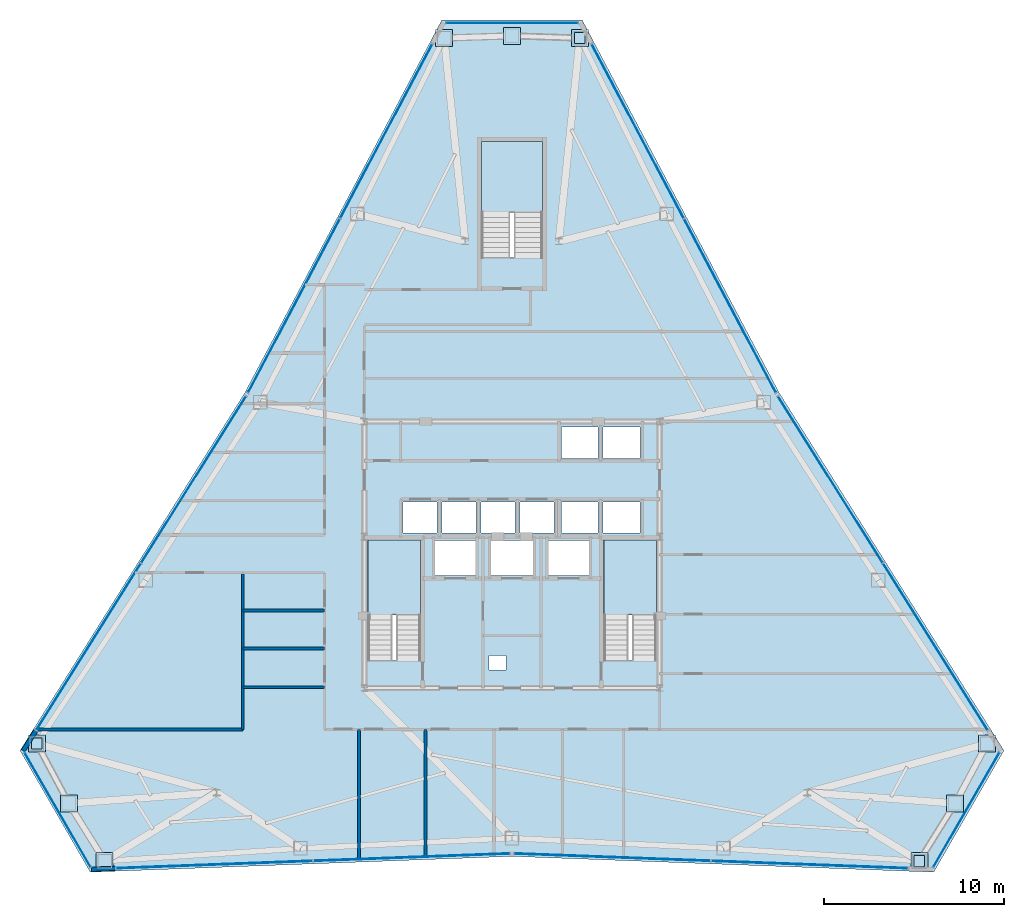
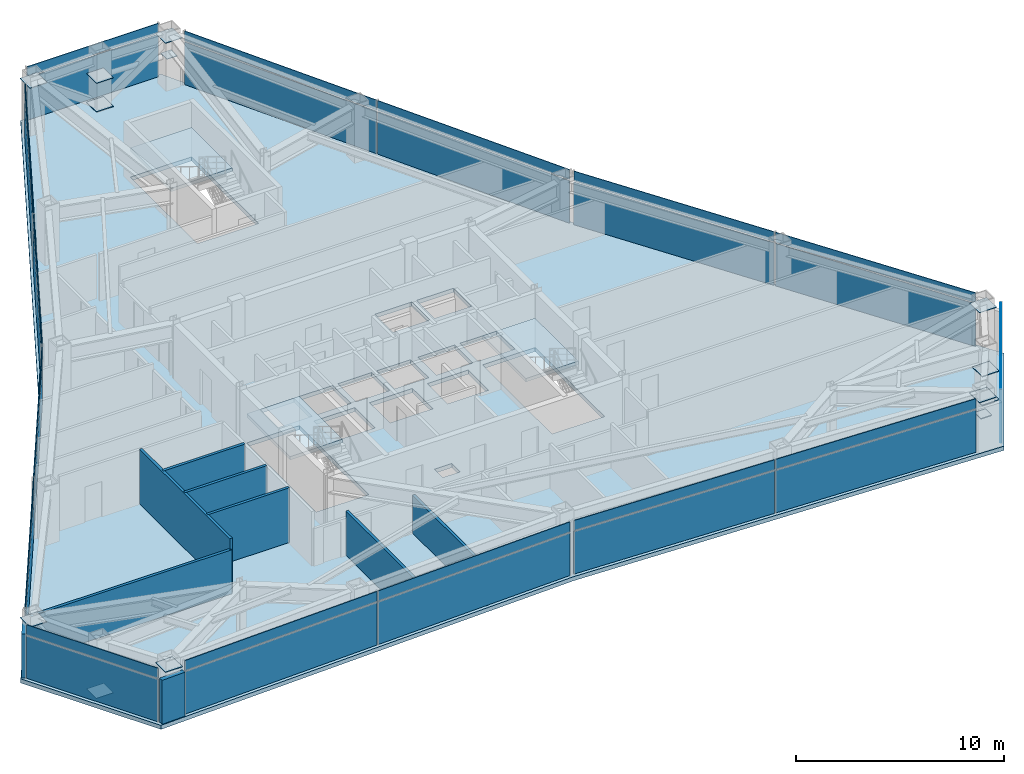
# One storey, part 9 of 13: 45 plates, 9 walls, 4 slabs, 12 elements without a shape of their own.
"""IFC4 building model written with IfcOpenShell, lengths in metres."""

from ifc_helpers import new_model, si_unit, direction, frame, frame_2d, origin, origin_2d, place, context, subcontext, project, spatial, polyline, rectangle, outline, extrude, source, transform, mapped, material, layer, layer_set, type_object, type_shapes, element, aggregate, save


model = new_model("IFC4")

# Units and contexts
model_context = context("Model", 3, precision=1e-05, world=origin(), true_north=direction((0.0, 1.0)))
body_context = subcontext(model_context, "Body", "Model", "MODEL_VIEW")
ifc_project = project(units=[si_unit("LENGTHUNIT", "METRE"), si_unit("AREAUNIT", "SQUARE_METRE"), si_unit("VOLUMEUNIT", "CUBIC_METRE"), si_unit("PLANEANGLEUNIT", "RADIAN"), si_unit("MASSUNIT", "GRAM", prefix="KILO")], contexts=[model_context])

# Site, building, storey
site_placement = place(None, origin())
site = spatial("IfcSite", under=ifc_project, at=site_placement, CompositionType="ELEMENT")
building_placement = place(site_placement, origin())
building = spatial("IfcBuilding", under=site, at=building_placement, Name="Varakhsha Concourse Tower", CompositionType="ELEMENT")
storey_placement = place(building_placement, frame((0.0, 0.0, 179.25)))
storey = spatial("IfcBuildingStorey", under=building, at=storey_placement, Name="L51", CompositionType="ELEMENT", Elevation=179.25)

# Slab
ifc_material_1 = material(Name="Concrete fc 45 MPa", Category="concrete")
ifc_layer_1 = layer(ifc_material_1, 0.239990234375, Name="SL-FLR-240")
ifc_layer_set_1 = layer_set([ifc_layer_1], Name="Concrete fc 45 MPa")
slab_type_1 = type_object("IfcSlabType", Name="SL-FLR-240", PredefinedType="FLOOR", material=ifc_layer_set_1)
slab_1_placement = place(storey_placement, frame((0.0, 0.0, -0.239990234375)))
element("IfcSlab", 1, at=slab_1_placement, inside=storey, type_object=slab_type_1, Name="L51 Composite Structural Slab", PredefinedType="FLOOR", context=body_context, shape_type="SweptSolid", body=[
    extrude(outline(polyline([(43.89990234375, 53.498291015625), (36.10009765625, 53.498291015625), (25.147216796875, 32.775390625), (12.677001953125, 12.92822265625), (16.576904296875, 6.17333984375), (40.0, 7.04931640625), (63.423095703125, 6.17333984375), (67.322998046875, 12.92822265625), (54.852783203125, 32.775390625), (43.89990234375, 53.498291015625)]), holes=[polyline([(34.919921875, 17.93994140625), (34.919921875, 24.6298828125), (32.0, 24.6298828125), (32.0, 17.93994140625), (34.919921875, 17.93994140625)]), polyline([(48.02001953125, 17.93994140625), (48.02001953125, 24.6298828125), (45.10009765625, 24.6298828125), (45.10009765625, 17.93994140625), (48.02001953125, 17.93994140625)]), polyline([(41.699951171875, 40.300048828125), (41.699951171875, 46.75), (38.300048828125, 46.75), (38.300048828125, 40.300048828125), (41.699951171875, 40.300048828125)]), polyline([(33.9599609375, 25.0), (35.840087890625, 25.0), (35.840087890625, 26.739990234375), (33.9599609375, 26.739990234375), (33.9599609375, 25.0)]), polyline([(36.1201171875, 25.0), (38.0, 25.0), (38.0, 26.739990234375), (36.1201171875, 26.739990234375), (36.1201171875, 25.0)]), polyline([(38.280029296875, 25.0), (40.159912109375, 25.0), (40.159912109375, 26.739990234375), (38.280029296875, 26.739990234375), (38.280029296875, 25.0)]), polyline([(40.43994140625, 25.0), (42.320068359375, 25.0), (42.320068359375, 26.739990234375), (40.43994140625, 26.739990234375), (40.43994140625, 25.0)]), polyline([(42.739990234375, 29.159912109375), (44.780029296875, 29.159912109375), (44.780029296875, 30.89990234375), (42.739990234375, 30.89990234375), (42.739990234375, 29.159912109375)]), polyline([(45.06005859375, 29.159912109375), (47.10009765625, 29.159912109375), (47.10009765625, 30.89990234375), (45.06005859375, 30.89990234375), (45.06005859375, 29.159912109375)]), polyline([(42.739990234375, 25.0), (44.780029296875, 25.0), (44.780029296875, 26.739990234375), (42.739990234375, 26.739990234375), (42.739990234375, 25.0)]), polyline([(45.06005859375, 25.0), (47.10009765625, 25.0), (47.10009765625, 26.739990234375), (45.06005859375, 26.739990234375), (45.06005859375, 25.0)]), polyline([(35.7099609375, 22.639892578125), (37.989990234375, 22.639892578125), (37.989990234375, 24.60009765625), (35.7099609375, 24.60009765625), (35.7099609375, 22.639892578125)]), polyline([(42.010009765625, 22.639892578125), (44.2900390625, 22.639892578125), (44.2900390625, 24.60009765625), (42.010009765625, 24.60009765625), (42.010009765625, 22.639892578125)]), polyline([(38.81005859375, 22.639892578125), (41.18994140625, 22.639892578125), (41.18994140625, 24.60009765625), (38.81005859375, 24.60009765625), (38.81005859375, 22.639892578125)]), polyline([(38.719970703125, 17.39990234375), (39.679931640625, 17.39990234375), (39.679931640625, 18.199951171875), (38.719970703125, 18.199951171875), (38.719970703125, 17.39990234375)])]), origin(), (0.0, 0.0, 1.0), 0.239990234375),
])

# Stair, slab
stair_type_1 = type_object("IfcStairType", Name="ST-DOGLEG-1360", PredefinedType="HALF_TURN_STAIR", material=ifc_material_1)
stair_1_placement = place(storey_placement, origin())
stair_1 = element("IfcStair", 2, at=stair_1_placement, inside=storey, type_object=stair_type_1, Name="L51 Protected Exit Stair ST1", PredefinedType="HALF_TURN_STAIR")
ifc_layer_2 = layer(ifc_material_1, 0.199951171875, Name="SL-LAND-200")
ifc_layer_set_2 = layer_set([ifc_layer_2], Name="Concrete fc 45 MPa")
slab_type_2 = type_object("IfcSlabType", Name="SL-LAND-200", PredefinedType="LANDING", material=ifc_layer_set_2)
slab_2_placement = place(storey_placement, frame((0.0, 0.0, 1.52490234375)))
slab_2 = element("IfcSlab", 3, at=slab_2_placement, type_object=slab_type_2, Name="ST1 landing 1", PredefinedType="LANDING", context=body_context, shape_type="SweptSolid", body=[
    extrude(outline(polyline([(34.919921875, 20.4599609375), (34.919921875, 24.6298828125), (32.0, 24.6298828125), (32.0, 20.4599609375), (34.919921875, 20.4599609375)])), origin(), (0.0, 0.0, 1.0), 0.2001953125),
])
aggregate(stair_1, [slab_2])

stair_2_placement = place(storey_placement, origin())
stair_2 = element("IfcStair", 4, at=stair_2_placement, inside=storey, type_object=stair_type_1, Name="L51 Protected Exit Stair ST2", PredefinedType="HALF_TURN_STAIR")
slab_3_placement = place(storey_placement, frame((0.0, 0.0, 1.52490234375)))
slab_3 = element("IfcSlab", 5, at=slab_3_placement, type_object=slab_type_2, Name="ST2 landing 1", PredefinedType="LANDING", context=body_context, shape_type="SweptSolid", body=[
    extrude(outline(polyline([(48.02001953125, 20.4599609375), (48.02001953125, 24.6298828125), (45.10009765625, 24.6298828125), (45.10009765625, 20.4599609375), (48.02001953125, 20.4599609375)])), origin(), (0.0, 0.0, 1.0), 0.2001953125),
])
aggregate(stair_2, [slab_3])

stair_type_2 = type_object("IfcStairType", Name="ST-DOGLEG-1600", PredefinedType="HALF_TURN_STAIR", material=ifc_material_1)
stair_3_placement = place(storey_placement, origin())
stair_3 = element("IfcStair", 6, at=stair_3_placement, inside=storey, type_object=stair_type_2, Name="L51 Protected Exit Stair ST5", PredefinedType="HALF_TURN_STAIR")
slab_4_placement = place(storey_placement, frame((0.0, 0.0, 1.52490234375)))
slab_4 = element("IfcSlab", 7, at=slab_4_placement, type_object=slab_type_2, Name="ST5 landing 1", PredefinedType="LANDING", context=body_context, shape_type="SweptSolid", body=[
    extrude(outline(polyline([(41.699951171875, 42.820068359375), (41.699951171875, 46.75), (38.300048828125, 46.75), (38.300048828125, 42.820068359375), (41.699951171875, 42.820068359375)])), origin(), (0.0, 0.0, 1.0), 0.2001953125),
])
aggregate(stair_3, [slab_4])

# Plates
ifc_material_2 = material(Name="Structural Steel ASTM A572 Grade 50", Category="steel")
ifc_layer_3 = layer(ifc_material_2, 0.030029296875, Name="PL-ENDCAP-950")
ifc_layer_set_3 = layer_set([ifc_layer_3], Name="Structural Steel ASTM A572 Grade 50")
plate_type_1 = type_object("IfcPlateType", Name="PL-ENDCAP-950", PredefinedType="USERDEFINED", material=ifc_layer_set_3)
shared_shape_1 = source(origin(), body_context, "Body", "SweptSolid", [
    extrude(rectangle(XDim=0.949951171875, YDim=0.949951171875, at=origin_2d()), origin(), (0.0, 0.0, 1.0), 0.030029296875),
])
type_shapes(plate_type_1, [shared_shape_1])
for number, where, z_axis, x_axis, name in (
    (8, (40.0, 52.618408203125, 0.10498046875), (0.0, 0.0, 1.0), (1.0, 0.0, 0.0), "Hollow Section End Cap GP-NODE-L51-0523"),
    (9, (43.7666015625, 52.4951171875, 2.89501953125), (0.0, 0.0, 1.0), (1.0, 0.0, 0.0), "Hollow Section End Cap GP-NODE-L51-0524"),
    (10, (36.2333984375, 52.4951171875, 2.89501953125), (0.0, 0.0, 1.0), (1.0, 0.0, 0.0), "Hollow Section End Cap GP-NODE-L51-0525"),
    (11, (15.388916015625, 9.99072265625, 0.10498046875), (0.0, 0.0, 1.0), (1.0, 0.0, 0.0), "Hollow Section End Cap GP-NODE-L51-0526"),
    (12, (13.6123046875, 13.314208984375, 2.89501953125), (0.0, 0.0, 1.0), (1.0, 0.0, 0.0), "Hollow Section End Cap GP-NODE-L51-0527"),
    (13, (17.37890625, 6.79052734375, 2.89501953125), (0.0, 0.0, 1.0), (1.0, 0.0, 0.0), "Hollow Section End Cap GP-NODE-L51-0528"),
    (14, (64.611083984375, 9.99072265625, 0.10498046875), (0.0, 0.0, 1.0), (1.0, 0.0, 0.0), "Hollow Section End Cap GP-NODE-L51-0529"),
    (15, (62.62109375, 6.79052734375, 2.89501953125), (0.0, 0.0, 1.0), (1.0, 0.0, 0.0), "Hollow Section End Cap GP-NODE-L51-0530"),
    (16, (66.3876953125, 13.314208984375, 2.89501953125), (0.0, 0.0, 1.0), (1.0, 0.0, 0.0), "Hollow Section End Cap GP-NODE-L51-0531"),
    (17, (40.0, 52.618408203125, 1.78515625), (0.0, 0.0, 1.0), (1.0, 0.0, 0.0), "Hollow Section End Cap GP-NODE-L51-0532"),
    (18, (15.388916015625, 9.99072265625, 1.78515625), (0.0, 0.0, 1.0), (1.0, 0.0, 0.0), "Hollow Section End Cap GP-NODE-L51-0533"),
    (19, (64.611083984375, 9.99072265625, 1.78515625), (0.0, 0.0, 1.0), (1.0, 0.0, 0.0), "Hollow Section End Cap GP-NODE-L51-0534"),
):
    element("IfcPlate", number, at=place(storey_placement, frame(where, z_axis=z_axis, x_axis=x_axis)), inside=storey, type_object=plate_type_1, Name=name, ObjectType="END PLATE", PredefinedType="USERDEFINED", context=body_context, shape_type="MappedRepresentation", body=[
        mapped(shared_shape_1, transform((0.0, 0.0, 0.0), scale=1.0)),
    ])
ifc_layer_4 = layer(ifc_material_2, 0.030029296875, Name="PL-BASE-600")
ifc_layer_set_4 = layer_set([ifc_layer_4], Name="Structural Steel ASTM A572 Grade 50")
plate_type_2 = type_object("IfcPlateType", Name="PL-BASE-600", PredefinedType="SHEET", material=ifc_layer_set_4)
shared_shape_2 = source(origin(), body_context, "Body", "SweptSolid", [
    extrude(rectangle(XDim=0.60009765625, YDim=0.60009765625, at=origin_2d()), origin(), (0.0, 0.0, 1.0), 0.030029296875),
])
type_shapes(plate_type_2, [shared_shape_2])
for number, where, z_axis, x_axis, name in (
    (20, (43.7666015625, 52.4951171875, 1.78515625), (0.0, 0.0, 1.0), (1.0, 0.0, 0.0), "Hollow Section End Cap BP-WTIE-L51-1"),
    (21, (13.6123046875, 13.314208984375, 1.78515625), (0.0, 0.0, 1.0), (1.0, 0.0, 0.0), "Hollow Section End Cap BP-WTIE-L51-2"),
    (22, (62.62109375, 6.79052734375, 1.78515625), (0.0, 0.0, 1.0), (1.0, 0.0, 0.0), "Hollow Section End Cap BP-WTIE-L51-3"),
):
    element("IfcPlate", number, at=place(storey_placement, frame(where, z_axis=z_axis, x_axis=x_axis)), inside=storey, type_object=plate_type_2, Name=name, PredefinedType="SHEET", context=body_context, shape_type="MappedRepresentation", body=[
        mapped(shared_shape_2, transform((0.0, 0.0, 0.0), scale=1.0)),
    ])

# Curtain wall, plates
ifc_material_3 = material(Name="Anodised Bronze Architectural Aluminium AA 6063-T6", Category="aluminium")
ifc_layer_5 = layer(ifc_material_3, 0.2099609375, Name="CW-SYS-04")
ifc_layer_set_5 = layer_set([ifc_layer_5], Name="Anodised Bronze Architectural Aluminium AA 6063-T6")
curtain_wall_type = type_object("IfcCurtainWallType", Name="CW-SYS-04", PredefinedType="NOTDEFINED", material=ifc_layer_set_5)
curtain_wall_1_placement = place(storey_placement, origin())
curtain_wall_1 = element("IfcCurtainWall", 23, at=curtain_wall_1_placement, inside=storey, type_object=curtain_wall_type, Name="L51 Crystal Curtain Wall F2", PredefinedType="NOTDEFINED")
ifc_material_4 = material(Name="Low-E Triple Insulating Glass IGU 44 mm", Category="glass")
ifc_layer_6 = layer(ifc_material_4, 0.0439453125, Name="CWP-IGU-44")
ifc_layer_set_6 = layer_set([ifc_layer_6], Name="Low-E Triple Insulating Glass IGU 44 mm")
plate_type_3 = type_object("IfcPlateType", Name="CWP-IGU-44", PredefinedType="CURTAIN_PANEL", material=ifc_layer_set_6)
shared_shape_3 = source(origin(), body_context, "Body", "SweptSolid", [
    extrude(rectangle(XDim=10.900634765625, YDim=0.0439453125, at=origin_2d()), origin(), (0.0, 0.0, 1.0), 2.49609375),
])
plate_1_placement = place(storey_placement, frame((27.888916015625, 37.62060546875, 0.031982421875), z_axis=(0.0, 0.0, 1.0), x_axis=(0.46728648373, 0.884105956389, 0.0)))
plate_1 = element("IfcPlate", 24, at=plate_1_placement, type_object=plate_type_3, Name="CW-L51-F2 Panel 00-00", PredefinedType="CURTAIN_PANEL", context=body_context, shape_type="MappedRepresentation", body=[
    mapped(shared_shape_3, transform((0.0, 0.0, 0.0), scale=1.0)),
])
plate_2_placement = place(storey_placement, frame((33.014892578125, 47.31884765625, 0.031982421875), z_axis=(0.0, 0.0, 1.0), x_axis=(0.46728648373, 0.884105956389, 0.0)))
plate_2 = element("IfcPlate", 25, at=plate_2_placement, type_object=plate_type_3, Name="CW-L51-F2 Panel 01-00", PredefinedType="CURTAIN_PANEL", context=body_context, shape_type="MappedRepresentation", body=[
    mapped(shared_shape_3, transform((0.0, 0.0, 0.0), scale=1.0)),
])

# Curtain wall, plate
curtain_wall_2_placement = place(storey_placement, origin())
curtain_wall_2 = element("IfcCurtainWall", 26, at=curtain_wall_2_placement, inside=storey, type_object=curtain_wall_type, Name="L51 Crystal Curtain Wall F3", PredefinedType="NOTDEFINED")
plate_3_placement = place(storey_placement, frame((16.48583984375, 18.689697265625, 0.031982421875), z_axis=(0.0, 0.0, 1.0), x_axis=(0.532022365141, 0.846730301212, 0.0)))
plate_3 = element("IfcPlate", 27, at=plate_3_placement, type_object=plate_type_3, Name="CW-L51-F3 Panel 00-00", PredefinedType="CURTAIN_PANEL", context=body_context, shape_type="MappedRepresentation", body=[
    mapped(shared_shape_3, transform((0.0, 0.0, 0.0), scale=1.0)),
])

# Curtain wall, plates
curtain_wall_3_placement = place(storey_placement, origin())
curtain_wall_3 = element("IfcCurtainWall", 28, at=curtain_wall_3_placement, inside=storey, type_object=curtain_wall_type, Name="L51 Crystal Curtain Wall F5", PredefinedType="NOTDEFINED")
plate_4_placement = place(storey_placement, frame((34.43310546875, 7.001220703125, 0.031982421875), z_axis=(0.0, 0.0, 1.0), x_axis=(-0.999301264048, -0.037376244769, 0.0)))
plate_4 = element("IfcPlate", 29, at=plate_4_placement, type_object=plate_type_3, Name="CW-L51-F5 Panel 00-00", PredefinedType="CURTAIN_PANEL", context=body_context, shape_type="MappedRepresentation", body=[
    mapped(shared_shape_3, transform((0.0, 0.0, 0.0), scale=1.0)),
])
plate_5_placement = place(storey_placement, frame((23.470947265625, 6.59130859375, 0.031982421875), z_axis=(0.0, 0.0, 1.0), x_axis=(-0.999301264048, -0.037376244769, 0.0)))
plate_5 = element("IfcPlate", 30, at=plate_5_placement, type_object=plate_type_3, Name="CW-L51-F5 Panel 01-00", PredefinedType="CURTAIN_PANEL", context=body_context, shape_type="MappedRepresentation", body=[
    mapped(shared_shape_3, transform((0.0, 0.0, 0.0), scale=1.0)),
])

curtain_wall_4_placement = place(storey_placement, origin())
curtain_wall_4 = element("IfcCurtainWall", 31, at=curtain_wall_4_placement, inside=storey, type_object=curtain_wall_type, Name="L51 Crystal Curtain Wall F6", PredefinedType="NOTDEFINED")
plate_6_placement = place(storey_placement, frame((56.529052734375, 6.59130859375, 0.031982421875), z_axis=(0.0, 0.0, 1.0), x_axis=(-0.999301264048, 0.037376244769, 0.0)))
plate_6 = element("IfcPlate", 32, at=plate_6_placement, type_object=plate_type_3, Name="CW-L51-F6 Panel 00-00", PredefinedType="CURTAIN_PANEL", context=body_context, shape_type="MappedRepresentation", body=[
    mapped(shared_shape_3, transform((0.0, 0.0, 0.0), scale=1.0)),
])
plate_7_placement = place(storey_placement, frame((45.56689453125, 7.001220703125, 0.031982421875), z_axis=(0.0, 0.0, 1.0), x_axis=(-0.999301264048, 0.037376244769, 0.0)))
plate_7 = element("IfcPlate", 33, at=plate_7_placement, type_object=plate_type_3, Name="CW-L51-F6 Panel 01-00", PredefinedType="CURTAIN_PANEL", context=body_context, shape_type="MappedRepresentation", body=[
    mapped(shared_shape_3, transform((0.0, 0.0, 0.0), scale=1.0)),
])

# Curtain wall, plate
curtain_wall_5_placement = place(storey_placement, origin())
curtain_wall_5 = element("IfcCurtainWall", 34, at=curtain_wall_5_placement, inside=storey, type_object=curtain_wall_type, Name="L51 Crystal Curtain Wall F8", PredefinedType="NOTDEFINED")
plate_8_placement = place(storey_placement, frame((57.677978515625, 27.978271484375, 0.031982421875), z_axis=(0.0, 0.0, 1.0), x_axis=(0.532022365141, -0.846730301212, 0.0)))
plate_8 = element("IfcPlate", 35, at=plate_8_placement, type_object=plate_type_3, Name="CW-L51-F8 Panel 00-00", PredefinedType="CURTAIN_PANEL", context=body_context, shape_type="MappedRepresentation", body=[
    mapped(shared_shape_3, transform((0.0, 0.0, 0.0), scale=1.0)),
])

# Curtain wall, plates
curtain_wall_6_placement = place(storey_placement, origin())
curtain_wall_6 = element("IfcCurtainWall", 36, at=curtain_wall_6_placement, inside=storey, type_object=curtain_wall_type, Name="L51 Crystal Curtain Wall F9", PredefinedType="NOTDEFINED")
plate_9_placement = place(storey_placement, frame((46.985107421875, 47.31884765625, 0.031982421875), z_axis=(0.0, 0.0, 1.0), x_axis=(0.46728648373, -0.884105956389, 0.0)))
plate_9 = element("IfcPlate", 37, at=plate_9_placement, type_object=plate_type_3, Name="CW-L51-F9 Panel 00-00", PredefinedType="CURTAIN_PANEL", context=body_context, shape_type="MappedRepresentation", body=[
    mapped(shared_shape_3, transform((0.0, 0.0, 0.0), scale=1.0)),
])
plate_10_placement = place(storey_placement, frame((52.111083984375, 37.62060546875, 0.031982421875), z_axis=(0.0, 0.0, 1.0), x_axis=(0.46728648373, -0.884105956389, 0.0)))
plate_10 = element("IfcPlate", 38, at=plate_10_placement, type_object=plate_type_3, Name="CW-L51-F9 Panel 01-00", PredefinedType="CURTAIN_PANEL", context=body_context, shape_type="MappedRepresentation", body=[
    mapped(shared_shape_3, transform((0.0, 0.0, 0.0), scale=1.0)),
])

# Plate
ifc_material_5 = material(Name="Insulated Anodised Bronze Aluminium Spandrel 36 mm", Category="aluminium")
ifc_layer_7 = layer(ifc_material_5, 0.035888671875, Name="CWP-SPN-36")
ifc_layer_set_7 = layer_set([ifc_layer_7], Name="Insulated Anodised Bronze Aluminium Spandrel 36 mm")
plate_type_4 = type_object("IfcPlateType", Name="CWP-SPN-36", PredefinedType="USERDEFINED", material=ifc_layer_set_7)
shared_shape_4 = source(origin(), body_context, "Body", "SweptSolid", [
    extrude(rectangle(XDim=10.900634765625, YDim=0.035888671875, at=origin_2d()), origin(), (0.0, 0.0, 1.0), 0.5859375),
])
plate_11_placement = place(storey_placement, frame((27.888916015625, 37.62060546875, 2.592041015625), z_axis=(0.0, 0.0, 1.0), x_axis=(0.46728648373, 0.884105956389, 0.0)))
plate_11 = element("IfcPlate", 39, at=plate_11_placement, type_object=plate_type_4, Name="CW-L51-F2 Panel 00-01", ObjectType="SPANDREL", PredefinedType="USERDEFINED", context=body_context, shape_type="MappedRepresentation", body=[
    mapped(shared_shape_4, transform((0.0, 0.0, 0.0), scale=1.0)),
])

plate_12_placement = place(storey_placement, frame((33.014892578125, 47.31884765625, 2.592041015625), z_axis=(0.0, 0.0, 1.0), x_axis=(0.46728648373, 0.884105956389, 0.0)))
plate_12 = element("IfcPlate", 40, at=plate_12_placement, type_object=plate_type_4, Name="CW-L51-F2 Panel 01-01", ObjectType="SPANDREL", PredefinedType="USERDEFINED", context=body_context, shape_type="MappedRepresentation", body=[
    mapped(shared_shape_4, transform((0.0, 0.0, 0.0), scale=1.0)),
])

aggregate(curtain_wall_1, [plate_1, plate_11, plate_2, plate_12])

plate_13_placement = place(storey_placement, frame((16.48583984375, 18.689697265625, 2.592041015625), z_axis=(0.0, 0.0, 1.0), x_axis=(0.532022365141, 0.846730301212, 0.0)))
plate_13 = element("IfcPlate", 41, at=plate_13_placement, type_object=plate_type_4, Name="CW-L51-F3 Panel 00-01", ObjectType="SPANDREL", PredefinedType="USERDEFINED", context=body_context, shape_type="MappedRepresentation", body=[
    mapped(shared_shape_4, transform((0.0, 0.0, 0.0), scale=1.0)),
])

plate_14_placement = place(storey_placement, frame((34.43310546875, 7.001220703125, 2.592041015625), z_axis=(0.0, 0.0, 1.0), x_axis=(-0.999301264048, -0.037376244769, 0.0)))
plate_14 = element("IfcPlate", 42, at=plate_14_placement, type_object=plate_type_4, Name="CW-L51-F5 Panel 00-01", ObjectType="SPANDREL", PredefinedType="USERDEFINED", context=body_context, shape_type="MappedRepresentation", body=[
    mapped(shared_shape_4, transform((0.0, 0.0, 0.0), scale=1.0)),
])

plate_15_placement = place(storey_placement, frame((23.470947265625, 6.59130859375, 2.592041015625), z_axis=(0.0, 0.0, 1.0), x_axis=(-0.999301264048, -0.037376244769, 0.0)))
plate_15 = element("IfcPlate", 43, at=plate_15_placement, type_object=plate_type_4, Name="CW-L51-F5 Panel 01-01", ObjectType="SPANDREL", PredefinedType="USERDEFINED", context=body_context, shape_type="MappedRepresentation", body=[
    mapped(shared_shape_4, transform((0.0, 0.0, 0.0), scale=1.0)),
])

aggregate(curtain_wall_3, [plate_4, plate_14, plate_5, plate_15])

plate_16_placement = place(storey_placement, frame((56.529052734375, 6.59130859375, 2.592041015625), z_axis=(0.0, 0.0, 1.0), x_axis=(-0.999301264048, 0.037376244769, 0.0)))
plate_16 = element("IfcPlate", 44, at=plate_16_placement, type_object=plate_type_4, Name="CW-L51-F6 Panel 00-01", ObjectType="SPANDREL", PredefinedType="USERDEFINED", context=body_context, shape_type="MappedRepresentation", body=[
    mapped(shared_shape_4, transform((0.0, 0.0, 0.0), scale=1.0)),
])

plate_17_placement = place(storey_placement, frame((45.56689453125, 7.001220703125, 2.592041015625), z_axis=(0.0, 0.0, 1.0), x_axis=(-0.999301264048, 0.037376244769, 0.0)))
plate_17 = element("IfcPlate", 45, at=plate_17_placement, type_object=plate_type_4, Name="CW-L51-F6 Panel 01-01", ObjectType="SPANDREL", PredefinedType="USERDEFINED", context=body_context, shape_type="MappedRepresentation", body=[
    mapped(shared_shape_4, transform((0.0, 0.0, 0.0), scale=1.0)),
])

aggregate(curtain_wall_4, [plate_6, plate_16, plate_7, plate_17])

plate_18_placement = place(storey_placement, frame((57.677978515625, 27.978271484375, 2.592041015625), z_axis=(0.0, 0.0, 1.0), x_axis=(0.532022365141, -0.846730301212, 0.0)))
plate_18 = element("IfcPlate", 46, at=plate_18_placement, type_object=plate_type_4, Name="CW-L51-F8 Panel 00-01", ObjectType="SPANDREL", PredefinedType="USERDEFINED", context=body_context, shape_type="MappedRepresentation", body=[
    mapped(shared_shape_4, transform((0.0, 0.0, 0.0), scale=1.0)),
])

plate_19_placement = place(storey_placement, frame((46.985107421875, 47.31884765625, 2.592041015625), z_axis=(0.0, 0.0, 1.0), x_axis=(0.46728648373, -0.884105956389, 0.0)))
plate_19 = element("IfcPlate", 47, at=plate_19_placement, type_object=plate_type_4, Name="CW-L51-F9 Panel 00-01", ObjectType="SPANDREL", PredefinedType="USERDEFINED", context=body_context, shape_type="MappedRepresentation", body=[
    mapped(shared_shape_4, transform((0.0, 0.0, 0.0), scale=1.0)),
])

plate_20_placement = place(storey_placement, frame((52.111083984375, 37.62060546875, 2.592041015625), z_axis=(0.0, 0.0, 1.0), x_axis=(0.46728648373, -0.884105956389, 0.0)))
plate_20 = element("IfcPlate", 48, at=plate_20_placement, type_object=plate_type_4, Name="CW-L51-F9 Panel 01-01", ObjectType="SPANDREL", PredefinedType="USERDEFINED", context=body_context, shape_type="MappedRepresentation", body=[
    mapped(shared_shape_4, transform((0.0, 0.0, 0.0), scale=1.0)),
])

aggregate(curtain_wall_6, [plate_9, plate_19, plate_10, plate_20])

shared_shape_5 = source(origin(), body_context, "Body", "SweptSolid", [
    extrude(rectangle(XDim=10.90087890625, YDim=0.0439453125, at=origin_2d()), origin(), (0.0, 0.0, 1.0), 2.49609375),
])
type_shapes(plate_type_3, [shared_shape_3, shared_shape_5])
plate_21_placement = place(storey_placement, frame((22.322021484375, 27.978271484375, 0.031982421875), z_axis=(0.0, 0.0, 1.0), x_axis=(0.532022365141, 0.846730301212, 0.0)))
plate_21 = element("IfcPlate", 49, at=plate_21_placement, type_object=plate_type_3, Name="CW-L51-F3 Panel 01-00", PredefinedType="CURTAIN_PANEL", context=body_context, shape_type="MappedRepresentation", body=[
    mapped(shared_shape_5, transform((0.0, 0.0, 0.0), scale=1.0)),
])

plate_22_placement = place(storey_placement, frame((63.51416015625, 18.689697265625, 0.031982421875), z_axis=(0.0, 0.0, 1.0), x_axis=(0.532022365141, -0.846730301212, 0.0)))
plate_22 = element("IfcPlate", 50, at=plate_22_placement, type_object=plate_type_3, Name="CW-L51-F8 Panel 01-00", PredefinedType="CURTAIN_PANEL", context=body_context, shape_type="MappedRepresentation", body=[
    mapped(shared_shape_5, transform((0.0, 0.0, 0.0), scale=1.0)),
])

shared_shape_6 = source(origin(), body_context, "Body", "SweptSolid", [
    extrude(rectangle(XDim=10.90087890625, YDim=0.035888671875, at=origin_2d()), origin(), (0.0, 0.0, 1.0), 0.5859375),
])
plate_23_placement = place(storey_placement, frame((22.322021484375, 27.978271484375, 2.592041015625), z_axis=(0.0, 0.0, 1.0), x_axis=(0.532022365141, 0.846730301212, 0.0)))
plate_23 = element("IfcPlate", 51, at=plate_23_placement, type_object=plate_type_4, Name="CW-L51-F3 Panel 01-01", ObjectType="SPANDREL", PredefinedType="USERDEFINED", context=body_context, shape_type="MappedRepresentation", body=[
    mapped(shared_shape_6, transform((0.0, 0.0, 0.0), scale=1.0)),
])

aggregate(curtain_wall_2, [plate_3, plate_13, plate_21, plate_23])

plate_24_placement = place(storey_placement, frame((63.51416015625, 18.689697265625, 2.592041015625), z_axis=(0.0, 0.0, 1.0), x_axis=(0.532022365141, -0.846730301212, 0.0)))
plate_24 = element("IfcPlate", 52, at=plate_24_placement, type_object=plate_type_4, Name="CW-L51-F8 Panel 01-01", ObjectType="SPANDREL", PredefinedType="USERDEFINED", context=body_context, shape_type="MappedRepresentation", body=[
    mapped(shared_shape_6, transform((0.0, 0.0, 0.0), scale=1.0)),
])

aggregate(curtain_wall_5, [plate_8, plate_18, plate_22, plate_24])

# Curtain wall, plate
curtain_wall_7_placement = place(storey_placement, origin())
curtain_wall_7 = element("IfcCurtainWall", 53, at=curtain_wall_7_placement, inside=storey, type_object=curtain_wall_type, Name="L51 Chamfer Curtain Wall F1", PredefinedType="NOTDEFINED")
shared_shape_7 = source(origin(), body_context, "Body", "SweptSolid", [
    extrude(rectangle(XDim=7.291015625, YDim=0.035888671875, at=origin_2d()), origin(), (0.0, 0.0, 1.0), 2.49609375),
])
plate_25_placement = place(storey_placement, frame((40.0, 53.33837890625, 0.031982421875), z_axis=(0.0, 0.0, 1.0), x_axis=(1.0, 0.0, 0.0)))
plate_25 = element("IfcPlate", 54, at=plate_25_placement, type_object=plate_type_4, Name="CW-L51-F1 Panel 00-00", ObjectType="SPANDREL", PredefinedType="USERDEFINED", context=body_context, shape_type="MappedRepresentation", body=[
    mapped(shared_shape_7, transform((0.0, 0.0, 0.0), scale=1.0)),
])

curtain_wall_8_placement = place(storey_placement, origin())
curtain_wall_8 = element("IfcCurtainWall", 55, at=curtain_wall_8_placement, inside=storey, type_object=curtain_wall_type, Name="L51 Chamfer Curtain Wall F4", PredefinedType="NOTDEFINED")
plate_26_placement = place(storey_placement, frame((14.765380859375, 9.630859375, 0.031982421875), z_axis=(0.0, 0.0, 1.0), x_axis=(-0.499996976998, 0.866027149108, 0.0)))
plate_26 = element("IfcPlate", 56, at=plate_26_placement, type_object=plate_type_4, Name="CW-L51-F4 Panel 00-00", ObjectType="SPANDREL", PredefinedType="USERDEFINED", context=body_context, shape_type="MappedRepresentation", body=[
    mapped(shared_shape_7, transform((0.0, 0.0, 0.0), scale=1.0)),
])

curtain_wall_9_placement = place(storey_placement, origin())
curtain_wall_9 = element("IfcCurtainWall", 57, at=curtain_wall_9_placement, inside=storey, type_object=curtain_wall_type, Name="L51 Chamfer Curtain Wall F7", PredefinedType="NOTDEFINED")
plate_27_placement = place(storey_placement, frame((65.234619140625, 9.630859375, 0.031982421875), z_axis=(0.0, 0.0, 1.0), x_axis=(-0.499996976998, -0.866027149108, 0.0)))
plate_27 = element("IfcPlate", 58, at=plate_27_placement, type_object=plate_type_4, Name="CW-L51-F7 Panel 00-00", ObjectType="SPANDREL", PredefinedType="USERDEFINED", context=body_context, shape_type="MappedRepresentation", body=[
    mapped(shared_shape_7, transform((0.0, 0.0, 0.0), scale=1.0)),
])

# Plate
shared_shape_8 = source(origin(), body_context, "Body", "SweptSolid", [
    extrude(rectangle(XDim=7.291015625, YDim=0.035888671875, at=origin_2d()), origin(), (0.0, 0.0, 1.0), 0.5859375),
])
type_shapes(plate_type_4, [shared_shape_4, shared_shape_6, shared_shape_7, shared_shape_8])
plate_28_placement = place(storey_placement, frame((40.0, 53.33837890625, 2.592041015625), z_axis=(0.0, 0.0, 1.0), x_axis=(1.0, 0.0, 0.0)))
plate_28 = element("IfcPlate", 59, at=plate_28_placement, type_object=plate_type_4, Name="CW-L51-F1 Panel 00-01", ObjectType="SPANDREL", PredefinedType="USERDEFINED", context=body_context, shape_type="MappedRepresentation", body=[
    mapped(shared_shape_8, transform((0.0, 0.0, 0.0), scale=1.0)),
])

aggregate(curtain_wall_7, [plate_25, plate_28])

plate_29_placement = place(storey_placement, frame((14.765380859375, 9.630859375, 2.592041015625), z_axis=(0.0, 0.0, 1.0), x_axis=(-0.499996976998, 0.866027149108, 0.0)))
plate_29 = element("IfcPlate", 60, at=plate_29_placement, type_object=plate_type_4, Name="CW-L51-F4 Panel 00-01", ObjectType="SPANDREL", PredefinedType="USERDEFINED", context=body_context, shape_type="MappedRepresentation", body=[
    mapped(shared_shape_8, transform((0.0, 0.0, 0.0), scale=1.0)),
])

aggregate(curtain_wall_8, [plate_26, plate_29])

plate_30_placement = place(storey_placement, frame((65.234619140625, 9.630859375, 2.592041015625), z_axis=(0.0, 0.0, 1.0), x_axis=(-0.499996976998, -0.866027149108, 0.0)))
plate_30 = element("IfcPlate", 61, at=plate_30_placement, type_object=plate_type_4, Name="CW-L51-F7 Panel 00-01", ObjectType="SPANDREL", PredefinedType="USERDEFINED", context=body_context, shape_type="MappedRepresentation", body=[
    mapped(shared_shape_8, transform((0.0, 0.0, 0.0), scale=1.0)),
])

aggregate(curtain_wall_9, [plate_27, plate_30])

# Walls
ifc_layer_8 = layer(ifc_material_1, 0.239990234375, Name="WL-EXT-CRN-240")
ifc_layer_set_8 = layer_set([ifc_layer_8], Name="Concrete fc 45 MPa")
wall_type_1 = type_object("IfcWallType", Name="WL-EXT-CRN-240", PredefinedType="SHEAR", material=ifc_layer_set_8)
for number, where, z_axis, x_axis, name in (
    (62, (13.550537109375, 14.01806640625, 0.0), (0.0, 0.0, 1.0), (-0.531987132085, -0.846752438022, 0.0), "L51 Wind-Corner Shoulder Wall F3"),
    (63, (16.656982421875, 6.33642578125, 0.0), (0.0, 0.0, 1.0), (0.999302961929, 0.037330822118, 0.0), "L51 Wind-Corner Shoulder Wall F5"),
):
    element("IfcWall", number, at=place(storey_placement, frame(where, z_axis=z_axis, x_axis=x_axis)), inside=storey, type_object=wall_type_1, Name=name, PredefinedType="SHEAR", context=body_context, shape_type="SweptSolid", body=[
        extrude(rectangle(XDim=1.301513671875, YDim=0.239990234375, at=frame_2d((0.65087890625, 0.0))), origin(), (0.0, 0.0, 1.0), 2.5830078125),
    ])
ifc_material_6 = material(Name="Fire-Rated Type X Gypsum Partition Assembly", Category="gypsum")
ifc_layer_9 = layer(ifc_material_6, 0.14990234375, Name="WL-PART-150")
ifc_layer_set_9 = layer_set([ifc_layer_9], Name="Fire-Rated Type X Gypsum Partition Assembly")
wall_type_2 = type_object("IfcWallType", Name="WL-PART-150", PredefinedType="PARTITIONING", material=ifc_layer_set_9)
wall_1_placement = place(storey_placement, frame((25.050048828125, 14.10009765625, 0.0), z_axis=(0.0, 0.0, 1.0), x_axis=(0.0, 1.0, 0.0)))
element("IfcWall", 64, at=wall_1_placement, inside=storey, type_object=wall_type_2, Name="L51 Wall C2WC-W-L51", PredefinedType="PARTITIONING", context=body_context, shape_type="SweptSolid", body=[
    extrude(rectangle(XDim=8.699951171875, YDim=0.14990234375, at=frame_2d((4.35009765625, 0.0))), origin(), (0.0, 0.0, 1.0), 3.2099609375),
])
for number, where, z_axis, x_axis, name in (
    (65, (25.050048828125, 16.449951171875, 0.0), (0.0, 0.0, 1.0), (1.0, 0.0, 0.0), "L51 Wall C2WC-S-L51"),
    (66, (25.050048828125, 18.60009765625, 0.0), (0.0, 0.0, 1.0), (1.0, 0.0, 0.0), "L51 Wall C2WC-D1-L51"),
    (67, (25.050048828125, 20.699951171875, 0.0), (0.0, 0.0, 1.0), (1.0, 0.0, 0.0), "L51 Wall C2WC-D2-L51"),
):
    element("IfcWall", number, at=place(storey_placement, frame(where, z_axis=z_axis, x_axis=x_axis)), inside=storey, type_object=wall_type_2, Name=name, PredefinedType="PARTITIONING", context=body_context, shape_type="SweptSolid", body=[
        extrude(rectangle(XDim=4.550048828125, YDim=0.14990234375, at=frame_2d((2.27490234375, 0.0))), origin(), (0.0, 0.0, 1.0), 3.2099609375),
    ])
wall_2_placement = place(storey_placement, frame((31.5, 6.896484375, 0.0), z_axis=(0.0, 0.0, 1.0), x_axis=(0.0, 1.0, 0.0)))
element("IfcWall", 68, at=wall_2_placement, inside=storey, type_object=wall_type_2, Name="L51 Wall ODIV-S1-L51", PredefinedType="PARTITIONING", context=body_context, shape_type="SweptSolid", body=[
    extrude(rectangle(XDim=7.20361328125, YDim=0.14990234375, at=frame_2d((3.601806640625, 0.0))), origin(), (0.0, 0.0, 1.0), 2.589111328125),
])
wall_3_placement = place(storey_placement, frame((35.199951171875, 7.034912109375, 0.0), z_axis=(0.0, 0.0, 1.0), x_axis=(0.0, 1.0, 0.0)))
element("IfcWall", 69, at=wall_3_placement, inside=storey, type_object=wall_type_2, Name="L51 Wall ODIV-S2-L51", PredefinedType="PARTITIONING", context=body_context, shape_type="SweptSolid", body=[
    extrude(rectangle(XDim=7.065185546875, YDim=0.14990234375, at=frame_2d((3.53271484375, 0.0))), origin(), (0.0, 0.0, 1.0), 2.22509765625),
])
wall_4_placement = place(storey_placement, frame((13.60791015625, 14.10009765625, 0.0), z_axis=(0.0, 0.0, 1.0), x_axis=(1.0, 0.0, 0.0)))
element("IfcWall", 70, at=wall_4_placement, inside=storey, type_object=wall_type_2, Name="L51 Wall ODIV-SWB-L51", PredefinedType="PARTITIONING", context=body_context, shape_type="SweptSolid", body=[
    extrude(rectangle(XDim=11.442138671875, YDim=0.14990234375, at=frame_2d((5.72119140625, 0.0))), origin(), (0.0, 0.0, 1.0), 2.589111328125),
])

save(model, "model.ifc")
